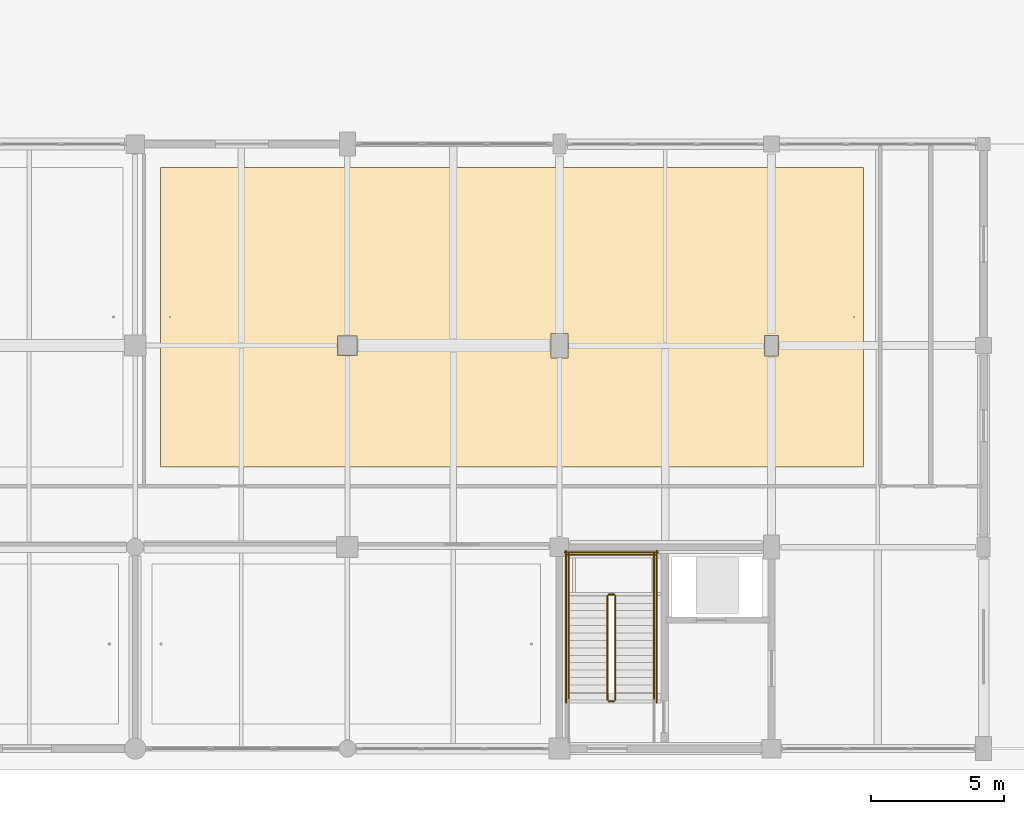
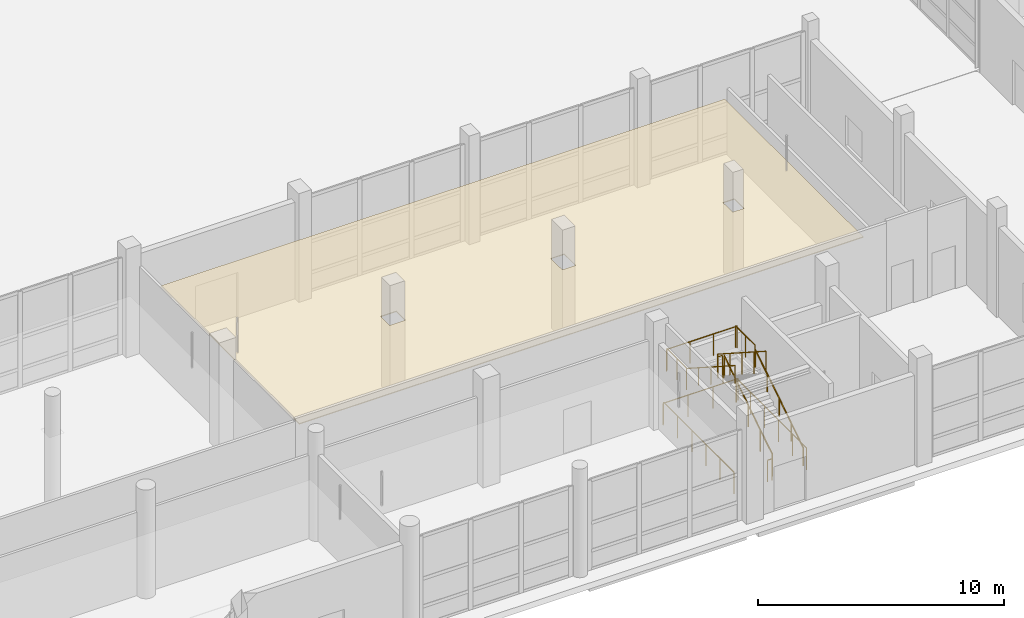
# One storey, part 116 of 126: 12 railings, 1 covering.
"""IFC4 building model written with IfcOpenShell, lengths in metres."""

import ifcopenshell
import ifcopenshell.guid

model = None  # the IFC model being written
_history = None  # IfcOwnerHistory: only IFC2X3 demands one
_inside = {}  # id of a spatial element -> (the spatial element, [elements in it])
_under = {}  # id of a project, library or spatial element -> (it, [spatial elements below it])
_declared = {}  # id of a project -> (the project, [libraries it declares])
_typed = {}  # id of a type object -> (the type object, [elements of that type])
_made_of = {}  # id of a material, layer set ... -> (it, [elements and type objects made of it])


def new_model(schema):
    """Start an empty IFC model of exactly this schema.

    Asked for "IFC4X3", IfcOpenShell would pick the latest addendum, in which some entities
    have other attributes; the version numbers below select the first issue.
    IFC2X3 requires an IfcOwnerHistory on every rooted entity: one is made here for all.
    """
    global model, _history
    if schema == "IFC4X3":
        model = ifcopenshell.file(schema_version=(4, 3, 0, 0))
    else:
        model = ifcopenshell.file(schema=schema)
    _inside.clear()
    _under.clear()
    _declared.clear()
    _typed.clear()
    _made_of.clear()
    _history = None
    if model.schema == "IFC2X3":
        org = make("IfcOrganization", Name="unknown")
        user = make(
            "IfcPersonAndOrganization",
            ThePerson=make("IfcPerson", FamilyName="unknown"),
            TheOrganization=org,
        )
        app = make(
            "IfcApplication",
            ApplicationDeveloper=org,
            Version="unknown",
            ApplicationFullName="unknown",
            ApplicationIdentifier="unknown",
        )
        _history = make(
            "IfcOwnerHistory",
            OwningUser=user,
            OwningApplication=app,
            ChangeAction="ADDED",
            CreationDate=0,
        )
    return model


def make(cls, **values):
    """One entity of the class cls with the attributes given. An attribute that is None is left unset."""
    return model.create_entity(
        cls, **{name: value for name, value in values.items() if value is not None}
    )


def rooted(cls, **values):
    """An entity with a GlobalId (a new one), such as an element, a storey or a relation."""
    return make(cls, GlobalId=ifcopenshell.guid.new(), OwnerHistory=_history, **values)


def si_unit(unit_type, name, prefix=None):
    """IfcSIUnit, for example si_unit("LENGTHUNIT", "METRE", prefix="MILLI")."""
    return make("IfcSIUnit", UnitType=unit_type, Prefix=prefix, Name=name)


def assignment(units):
    """IfcUnitAssignment: the units of a project."""
    return None if units is None else make("IfcUnitAssignment", Units=units)


def point(xyz):
    """IfcCartesianPoint."""
    return None if xyz is None else make("IfcCartesianPoint", Coordinates=xyz)


def direction(xyz):
    """IfcDirection."""
    return None if xyz is None else make("IfcDirection", DirectionRatios=xyz)


def frame(location, z_axis=None, x_axis=None):
    """IfcAxis2Placement3D, a coordinate frame: its origin and axes. An axis left out is left unset."""
    return make(
        "IfcAxis2Placement3D",
        Location=point(location),
        Axis=direction(z_axis),
        RefDirection=direction(x_axis),
    )


def frame_2d(location, x_axis=None):
    """IfcAxis2Placement2D, a coordinate frame in the plane: its origin and x axis."""
    return make(
        "IfcAxis2Placement2D", Location=point(location), RefDirection=direction(x_axis)
    )


def origin():
    """The frame at (0, 0, 0) with its axes left unset."""
    return frame((0.0, 0.0, 0.0))


def origin_2d():
    """The frame at (0, 0) in the plane with its x axis left unset."""
    return frame_2d((0.0, 0.0))


def place(relative_to, where):
    """IfcLocalPlacement: puts the frame where relative to a parent placement (None: the world)."""
    return make(
        "IfcLocalPlacement", PlacementRelTo=relative_to, RelativePlacement=where
    )


def context(
    kind, dimensions, precision=None, world=None, true_north=None, identifier=None
):
    """IfcGeometricRepresentationContext, for example the 3D "Model" context."""
    return make(
        "IfcGeometricRepresentationContext",
        ContextIdentifier=identifier,
        ContextType=kind,
        CoordinateSpaceDimension=dimensions,
        Precision=precision,
        WorldCoordinateSystem=world,
        TrueNorth=true_north,
    )


def subcontext(parent, identifier, kind, view, scale=None):
    """IfcGeometricRepresentationSubContext, for example "Body" below "Model"."""
    return make(
        "IfcGeometricRepresentationSubContext",
        ContextIdentifier=identifier,
        ContextType=kind,
        ParentContext=parent,
        TargetScale=scale,
        TargetView=view,
    )


def project(units=None, contexts=None):
    """IfcProject with its units and contexts."""
    return rooted(
        "IfcProject",
        Name="project",
        RepresentationContexts=contexts,
        UnitsInContext=assignment(units),
    )


def spatial(cls, under=None, at=None, **own):
    """A site, building, storey or space (cls), placed at a placement, below another one or the project."""
    s = rooted(cls, ObjectPlacement=at, **own)
    if under is not None:
        _under.setdefault(under.id(), (under, []))[1].append(s)
    return s


def polyline(points):
    """IfcPolyline through the points."""
    return make("IfcPolyline", Points=[point(p) for p in points])


def profile(cls, at=None, kind="AREA", **sizes):
    """A parametric profile (cls). Its sizes go by their IFC names, for example OverallWidth=200.0."""
    return make(cls, ProfileType=kind, Position=at, **sizes)


def circle(**sizes):
    """IfcCircleProfileDef."""
    return profile("IfcCircleProfileDef", **sizes)


def outline(outer, holes=None, kind="AREA"):
    """IfcArbitraryClosedProfileDef: a profile drawn as a closed curve; with holes, ...WithVoids."""
    if holes is None:
        return make("IfcArbitraryClosedProfileDef", ProfileType=kind, OuterCurve=outer)
    return make(
        "IfcArbitraryProfileDefWithVoids",
        ProfileType=kind,
        OuterCurve=outer,
        InnerCurves=holes,
    )


def extrude(swept, where, along, depth):
    """IfcExtrudedAreaSolid: the profile swept, set in the frame where, extruded along a direction by depth."""
    return make(
        "IfcExtrudedAreaSolid",
        SweptArea=swept,
        Position=where,
        ExtrudedDirection=direction(along),
        Depth=depth,
    )


def shape(context_of_items, identifier, shape_type, items):
    """IfcShapeRepresentation: the items that make up one representation, for example the "Body"."""
    return make(
        "IfcShapeRepresentation",
        ContextOfItems=context_of_items,
        RepresentationIdentifier=identifier,
        RepresentationType=shape_type,
        Items=items,
    )


def material(Name=None, Category=None):
    """IfcMaterial."""
    return make("IfcMaterial", Name=Name, Category=Category)


def layer(
    of_material, thickness, ventilated=None, Name=None, Category=None, Priority=None
):
    """IfcMaterialLayer: one layer of a wall or slab, of a material (None: an air gap)."""
    return make(
        "IfcMaterialLayer",
        Material=of_material,
        LayerThickness=thickness,
        IsVentilated=ventilated,
        Name=Name,
        Category=Category,
        Priority=Priority,
    )


def layer_set(layers, Name=None):
    """IfcMaterialLayerSet."""
    return make("IfcMaterialLayerSet", MaterialLayers=layers, LayerSetName=Name)


def made_of(thing, what):
    """Note that an element or type object is made of a material, layer set ...; save() writes the relation."""
    if what is not None:
        _made_of.setdefault(what.id(), (what, []))[1].append(thing)
    return thing


def type_object(cls, material=None, **own):
    """A type object (cls), such as IfcWallType, which elements share."""
    return made_of(rooted(cls, **own), material)


def element(
    cls,
    number,
    at=None,
    inside=None,
    cuts=None,
    type_object=None,
    material=None,
    context=None,
    identifier="Body",
    shape_type=None,
    held_by="IfcProductDefinitionShape",
    body=None,
    shapes=None,
    **own,
):
    """One element of the class cls, such as IfcWall. Its Tag is "e" and its number.

    at: its placement. inside: the storey or other place that contains it. cuts: it is an
    opening in that element (IfcRelVoidsElement). A single representation is given by context,
    identifier, shape_type and body (its items); several are given by shapes. held_by: the class
    of the entity that holds the representations. save() writes the other relations.
    """
    e = rooted(cls, Tag="e%d" % number, ObjectPlacement=at, **own)
    if body is not None:
        shapes = [shape(context, identifier, shape_type, body)]
    if shapes is not None:
        e.Representation = make(held_by, Representations=shapes)
    if inside is not None:
        _inside.setdefault(inside.id(), (inside, []))[1].append(e)
    if cuts is not None:
        rooted(
            "IfcRelVoidsElement", RelatingBuildingElement=cuts, RelatedOpeningElement=e
        )
    if type_object is not None:
        _typed.setdefault(type_object.id(), (type_object, []))[1].append(e)
    return made_of(e, material)


def aggregate(whole, parts):
    """IfcRelAggregates: a whole, such as a stair, and the parts it consists of."""
    return rooted("IfcRelAggregates", RelatingObject=whole, RelatedObjects=parts)


def save(model, path):
    """Write the relations noted so far, then the file.

    IfcRelAggregates (storeys below a building ...), IfcRelContainedInSpatialStructure (elements
    in a storey), IfcRelDefinesByType, IfcRelAssociatesMaterial and IfcRelDeclares: one each for
    every whole, place, type object, material and project.
    """
    for whole, parts in _under.values():
        aggregate(whole, parts)
    for where, things in _inside.values():
        rooted(
            "IfcRelContainedInSpatialStructure",
            RelatedElements=things,
            RelatingStructure=where,
        )
    for kind, things in _typed.values():
        rooted("IfcRelDefinesByType", RelatedObjects=things, RelatingType=kind)
    for what, things in _made_of.values():
        rooted("IfcRelAssociatesMaterial", RelatedObjects=things, RelatingMaterial=what)
    for by, libraries in _declared.values():
        rooted("IfcRelDeclares", RelatingContext=by, RelatedDefinitions=libraries)
    model.write(path)


model = new_model("IFC4")

# Units and contexts
model_context = context("Model", 3, precision=1e-05, world=origin(), true_north=direction((0.0, 1.0)))
body_context = subcontext(model_context, "Body", "Model", "MODEL_VIEW")
ifc_project = project(units=[si_unit("LENGTHUNIT", "METRE"), si_unit("AREAUNIT", "SQUARE_METRE"), si_unit("VOLUMEUNIT", "CUBIC_METRE"), si_unit("PLANEANGLEUNIT", "RADIAN"), si_unit("MASSUNIT", "GRAM", prefix="KILO")], contexts=[model_context])

# Site, building, storey
site_placement = place(None, origin())
site = spatial("IfcSite", under=ifc_project, at=site_placement, CompositionType="ELEMENT")
building_placement = place(site_placement, origin())
building = spatial("IfcBuilding", under=site, at=building_placement, Name="Khelvaren Railside Concert Hall", CompositionType="ELEMENT")
storey_placement = place(building_placement, origin())
storey = spatial("IfcBuildingStorey", under=building, at=storey_placement, Name="L00", CompositionType="ELEMENT", Elevation=0.0)

# Covering
ifc_material_1 = material(Name="Mineral-wool acoustic baffle ceiling", Category="gypsum")
ifc_layer = layer(ifc_material_1, 0.0400390625)
ifc_layer_set = layer_set([ifc_layer], Name="Mineral-wool acoustic baffle ceiling")
covering_type = type_object("IfcCoveringType", Name="CLG20", PredefinedType="CEILING", material=ifc_layer_set)
covering_placement = place(storey_placement, frame((0.0, 0.0, 3.409912109375)))
element("IfcCovering", 1, at=covering_placement, inside=storey, type_object=covering_type, Name="Suspended Acoustic Ceiling Railside Promenade Cafe and Brasserie", PredefinedType="CEILING", context=body_context, shape_type="SweptSolid", body=[
    extrude(outline(polyline([(104.95703125, 10.6298828125), (131.467041015625, 10.6298828125), (131.467041015625, 21.919921875), (104.95703125, 21.919921875), (104.95703125, 10.6298828125)]), holes=[polyline([(111.635009765625, 14.8349609375), (112.364990234375, 14.8349609375), (112.364990234375, 15.56494140625), (111.635009765625, 15.56494140625), (111.635009765625, 14.8349609375)]), polyline([(119.68505859375, 14.735107421875), (120.31494140625, 14.735107421875), (120.31494140625, 15.6650390625), (119.68505859375, 15.6650390625), (119.68505859375, 14.735107421875)]), polyline([(127.735107421875, 14.81005859375), (128.264892578125, 14.81005859375), (128.264892578125, 15.590087890625), (127.735107421875, 15.590087890625), (127.735107421875, 14.81005859375)])]), origin(), (0.0, 0.0, 1.0), 0.0400390625),
])

# Railings
ifc_material_2 = material(Name="Painted architectural steel", Category="steel")
railing_type_1 = type_object("IfcRailingType", Name="GRD86", PredefinedType="GUARDRAIL", material=ifc_material_2)
railing_1_placement = place(storey_placement, frame((122.110107421875, 1.840087890625, 0.179931640625)))
element("IfcRailing", 2, at=railing_1_placement, inside=storey, type_object=railing_type_1, Name="L00 ST-06 stair guard 1", PredefinedType="GUARDRAIL", context=body_context, shape_type="SweptSolid", body=[
    extrude(circle(Radius=0.02392578125, at=origin_2d()), frame((0.0, 0.0, 1.076171875), z_axis=(0.0, 0.841171666519, 0.540768182723), x_axis=(-1.0, 0.0, 0.0)), (0.0, 0.0, 1.0), 4.66015625),
    extrude(circle(Radius=0.02099609375, at=origin_2d()), origin(), (0.0, 0.0, 1.0), 1.052001953125),
    extrude(circle(Radius=0.02099609375, at=origin_2d()), frame((0.0, 0.97998046875, 0.6298828125)), (0.0, 0.0, 1.0), 1.052001953125),
    extrude(circle(Radius=0.02099609375, at=origin_2d()), frame((0.0, 1.9599609375, 1.260009765625)), (0.0, 0.0, 1.0), 1.052001953125),
    extrude(circle(Radius=0.02099609375, at=origin_2d()), frame((0.0, 2.93994140625, 1.89013671875)), (0.0, 0.0, 1.0), 1.052001953125),
    extrude(circle(Radius=0.02099609375, at=origin_2d()), frame((0.0, 3.919921875, 2.52001953125)), (0.0, 0.0, 1.0), 1.052001953125),
])
railing_2_placement = place(storey_placement, frame((122.06005859375, 5.81005859375, 2.699951171875)))
element("IfcRailing", 3, at=railing_2_placement, inside=storey, type_object=railing_type_1, Name="L00 ST-06 stair guard 2", PredefinedType="GUARDRAIL", context=body_context, shape_type="SweptSolid", body=[
    extrude(circle(Radius=0.02392578125, at=origin_2d()), frame((0.0, 0.0, 1.076171875), z_axis=(-1.0, 0.0, 0.0), x_axis=(0.0, -1.0, 0.0)), (0.0, 0.0, 1.0), 0.199951171875),
    extrude(circle(Radius=0.02099609375, at=origin_2d()), origin(), (0.0, 0.0, 1.0), 1.052001953125),
    extrude(circle(Radius=0.02099609375, at=origin_2d()), frame((-0.199951171875, 0.0, 0.0)), (0.0, 0.0, 1.0), 1.052001953125),
])
for number, where, name in (
    (4, (123.570068359375, 5.760009765625, 2.699951171875), "L00 ST-06 stair guard 3"),
    (5, (120.35009765625, 5.760009765625, 2.699951171875), "L00 ST-06 stair guard 4"),
):
    element("IfcRailing", number, at=place(storey_placement, frame(where)), inside=storey, type_object=railing_type_1, Name=name, PredefinedType="GUARDRAIL", context=body_context, shape_type="SweptSolid", body=[
        extrude(circle(Radius=0.02392578125, at=origin_2d()), frame((0.0, 0.0, 1.076171875), z_axis=(0.0, 1.0, 0.0), x_axis=(-1.0, 0.0, 0.0)), (0.0, 0.0, 1.0), 1.60009765625),
        extrude(circle(Radius=0.02099609375, at=origin_2d()), origin(), (0.0, 0.0, 1.0), 1.052001953125),
        extrude(circle(Radius=0.02099609375, at=origin_2d()), frame((0.0, 0.800048828125, 0.0)), (0.0, 0.0, 1.0), 1.052001953125),
        extrude(circle(Radius=0.02099609375, at=origin_2d()), frame((0.0, 1.60009765625, 0.0)), (0.0, 0.0, 1.0), 1.052001953125),
    ])
railing_3_placement = place(storey_placement, frame((123.6201171875, 7.31005859375, 2.699951171875)))
element("IfcRailing", 6, at=railing_3_placement, inside=storey, type_object=railing_type_1, Name="L00 ST-06 stair guard 5", PredefinedType="GUARDRAIL", context=body_context, shape_type="SweptSolid", body=[
    extrude(circle(Radius=0.02392578125, at=origin_2d()), frame((0.0, 0.0, 1.076171875), z_axis=(-1.0, 0.0, 0.0), x_axis=(0.0, -1.0, 0.0)), (0.0, 0.0, 1.0), 3.320068359375),
    extrude(circle(Radius=0.02099609375, at=origin_2d()), origin(), (0.0, 0.0, 1.0), 1.052001953125),
    extrude(circle(Radius=0.02099609375, at=origin_2d()), frame((-1.106689453125, 0.0, 0.0)), (0.0, 0.0, 1.0), 1.052001953125),
    extrude(circle(Radius=0.02099609375, at=origin_2d()), frame((-2.21337890625, 0.0, 0.0)), (0.0, 0.0, 1.0), 1.052001953125),
    extrude(circle(Radius=0.02099609375, at=origin_2d()), frame((-3.320068359375, 0.0, 0.0)), (0.0, 0.0, 1.0), 1.052001953125),
])
railing_4_placement = place(storey_placement, frame((121.81005859375, 5.760009765625, 2.8798828125)))
element("IfcRailing", 7, at=railing_4_placement, inside=storey, type_object=railing_type_1, Name="L00 ST-06 stair guard 6", PredefinedType="GUARDRAIL", context=body_context, shape_type="SweptSolid", body=[
    extrude(circle(Radius=0.02392578125, at=origin_2d()), frame((0.0, 0.0, 1.076171875), z_axis=(0.0, -0.841171666519, 0.540768182723), x_axis=(1.0, 0.0, 0.0)), (0.0, 0.0, 1.0), 4.66015625),
    extrude(circle(Radius=0.02099609375, at=origin_2d()), origin(), (0.0, 0.0, 1.0), 1.052001953125),
    extrude(circle(Radius=0.02099609375, at=origin_2d()), frame((0.0, -0.97998046875, 0.6298828125)), (0.0, 0.0, 1.0), 1.052001953125),
    extrude(circle(Radius=0.02099609375, at=origin_2d()), frame((0.0, -1.9599609375, 1.260009765625)), (0.0, 0.0, 1.0), 1.052001953125),
    extrude(circle(Radius=0.02099609375, at=origin_2d()), frame((0.0, -2.93994140625, 1.89013671875)), (0.0, 0.0, 1.0), 1.052001953125),
    extrude(circle(Radius=0.02099609375, at=origin_2d()), frame((0.0, -3.919921875, 2.52001953125)), (0.0, 0.0, 1.0), 1.052001953125),
])
railing_5_placement = place(storey_placement, frame((122.06005859375, 1.7900390625, 0.0)))
element("IfcRailing", 8, at=railing_5_placement, inside=storey, type_object=railing_type_1, Name="L00 ST-06 stair guard 7", PredefinedType="GUARDRAIL", context=body_context, shape_type="SweptSolid", body=[
    extrude(circle(Radius=0.02392578125, at=origin_2d()), frame((0.0, 0.0, 1.076171875), z_axis=(-1.0, 0.0, 0.0), x_axis=(0.0, -1.0, 0.0)), (0.0, 0.0, 1.0), 0.199951171875),
    extrude(circle(Radius=0.02099609375, at=origin_2d()), origin(), (0.0, 0.0, 1.0), 1.052001953125),
    extrude(circle(Radius=0.02099609375, at=origin_2d()), frame((-0.199951171875, 0.0, 0.0)), (0.0, 0.0, 1.0), 1.052001953125),
])
for number, where, name in (
    (9, (123.669921875, 1.739990234375, 0.0), "L00 ST-06 stair guard 10"),
    (10, (120.25, 1.739990234375, 0.0), "L00 ST-06 stair guard 11"),
):
    element("IfcRailing", number, at=place(storey_placement, frame(where)), inside=storey, type_object=railing_type_1, Name=name, PredefinedType="GUARDRAIL", context=body_context, shape_type="SweptSolid", body=[
        extrude(circle(Radius=0.02392578125, at=origin_2d()), frame((0.0, 0.0, 1.076171875), z_axis=(0.0, 1.0, 0.0), x_axis=(-1.0, 0.0, 0.0)), (0.0, 0.0, 1.0), 5.719970703125),
        extrude(circle(Radius=0.02099609375, at=origin_2d()), origin(), (0.0, 0.0, 1.0), 1.052001953125),
        extrude(circle(Radius=0.02099609375, at=origin_2d()), frame((0.0, 1.14404296875, 0.0)), (0.0, 0.0, 1.0), 1.052001953125),
        extrude(circle(Radius=0.02099609375, at=origin_2d()), frame((0.0, 2.2880859375, 0.0)), (0.0, 0.0, 1.0), 1.052001953125),
        extrude(circle(Radius=0.02099609375, at=origin_2d()), frame((0.0, 3.431884765625, 0.0)), (0.0, 0.0, 1.0), 1.052001953125),
        extrude(circle(Radius=0.02099609375, at=origin_2d()), frame((0.0, 4.575927734375, 0.0)), (0.0, 0.0, 1.0), 1.052001953125),
        extrude(circle(Radius=0.02099609375, at=origin_2d()), frame((0.0, 5.719970703125, 0.0)), (0.0, 0.0, 1.0), 1.052001953125),
    ])
railing_6_placement = place(storey_placement, frame((123.719970703125, 7.409912109375, 0.0)))
element("IfcRailing", 11, at=railing_6_placement, inside=storey, type_object=railing_type_1, Name="L00 ST-06 stair guard 12", PredefinedType="GUARDRAIL", context=body_context, shape_type="SweptSolid", body=[
    extrude(circle(Radius=0.02392578125, at=origin_2d()), frame((0.0, 0.0, 1.076171875), z_axis=(-1.0, 0.0, 0.0), x_axis=(0.0, -1.0, 0.0)), (0.0, 0.0, 1.0), 3.52001953125),
    extrude(circle(Radius=0.02099609375, at=origin_2d()), origin(), (0.0, 0.0, 1.0), 1.052001953125),
    extrude(circle(Radius=0.02099609375, at=origin_2d()), frame((-1.17333984375, 0.0, 0.0)), (0.0, 0.0, 1.0), 1.052001953125),
    extrude(circle(Radius=0.02099609375, at=origin_2d()), frame((-2.3466796875, 0.0, 0.0)), (0.0, 0.0, 1.0), 1.052001953125),
    extrude(circle(Radius=0.02099609375, at=origin_2d()), frame((-3.52001953125, 0.0, 0.0)), (0.0, 0.0, 1.0), 1.052001953125),
])
ifc_material_3 = material(Name="Brushed stainless steel Grade 316", Category="steel")
railing_type_2 = type_object("IfcRailingType", Name="HRL59", PredefinedType="HANDRAIL", material=ifc_material_3)
railing_7_placement = place(storey_placement, frame((123.570068359375, 1.840087890625, 0.179931640625)))
element("IfcRailing", 12, at=railing_7_placement, inside=storey, type_object=railing_type_2, Name="L00 ST-06 stair handrail 1", PredefinedType="HANDRAIL", context=body_context, shape_type="SweptSolid", body=[
    extrude(circle(Radius=0.02392578125, at=origin_2d()), frame((0.0, 0.0, 0.8759765625), z_axis=(0.0, 0.841171666519, 0.540768182723), x_axis=(-1.0, 0.0, 0.0)), (0.0, 0.0, 1.0), 4.66015625),
    extrude(circle(Radius=0.02099609375, at=origin_2d()), origin(), (0.0, 0.0, 1.0), 0.851806640625),
    extrude(circle(Radius=0.02099609375, at=origin_2d()), frame((0.0, 0.97998046875, 0.6298828125)), (0.0, 0.0, 1.0), 0.851806640625),
    extrude(circle(Radius=0.02099609375, at=origin_2d()), frame((0.0, 1.9599609375, 1.260009765625)), (0.0, 0.0, 1.0), 0.851806640625),
    extrude(circle(Radius=0.02099609375, at=origin_2d()), frame((0.0, 2.93994140625, 1.89013671875)), (0.0, 0.0, 1.0), 0.851806640625),
    extrude(circle(Radius=0.02099609375, at=origin_2d()), frame((0.0, 3.919921875, 2.52001953125)), (0.0, 0.0, 1.0), 0.851806640625),
])
railing_8_placement = place(storey_placement, frame((120.35009765625, 5.760009765625, 2.8798828125)))
element("IfcRailing", 13, at=railing_8_placement, inside=storey, type_object=railing_type_2, Name="L00 ST-06 stair handrail 2", PredefinedType="HANDRAIL", context=body_context, shape_type="SweptSolid", body=[
    extrude(circle(Radius=0.02392578125, at=origin_2d()), frame((0.0, 0.0, 0.8759765625), z_axis=(0.0, -0.841171666519, 0.540768182723), x_axis=(1.0, 0.0, 0.0)), (0.0, 0.0, 1.0), 4.66015625),
    extrude(circle(Radius=0.02099609375, at=origin_2d()), origin(), (0.0, 0.0, 1.0), 0.851806640625),
    extrude(circle(Radius=0.02099609375, at=origin_2d()), frame((0.0, -0.97998046875, 0.6298828125)), (0.0, 0.0, 1.0), 0.851806640625),
    extrude(circle(Radius=0.02099609375, at=origin_2d()), frame((0.0, -1.9599609375, 1.260009765625)), (0.0, 0.0, 1.0), 0.851806640625),
    extrude(circle(Radius=0.02099609375, at=origin_2d()), frame((0.0, -2.93994140625, 1.89013671875)), (0.0, 0.0, 1.0), 0.851806640625),
    extrude(circle(Radius=0.02099609375, at=origin_2d()), frame((0.0, -3.919921875, 2.52001953125)), (0.0, 0.0, 1.0), 0.851806640625),
])

save(model, "model.ifc")
